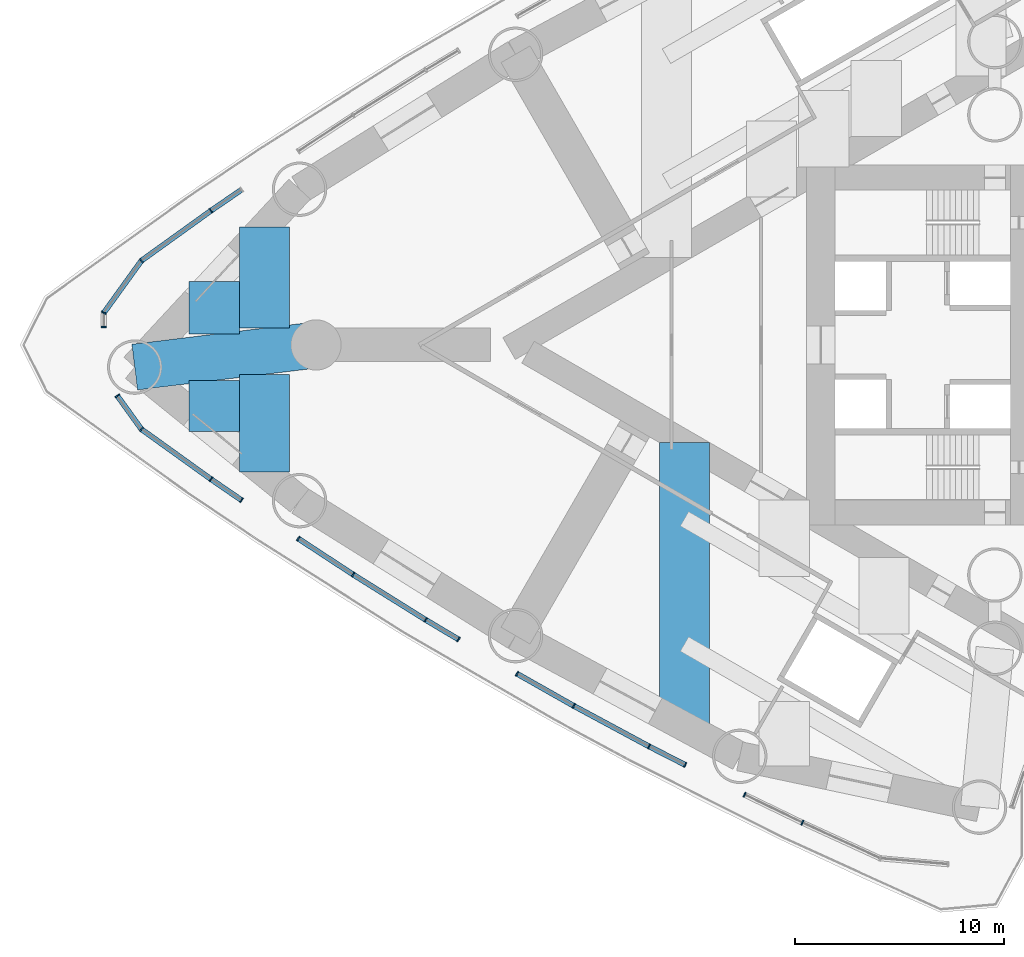
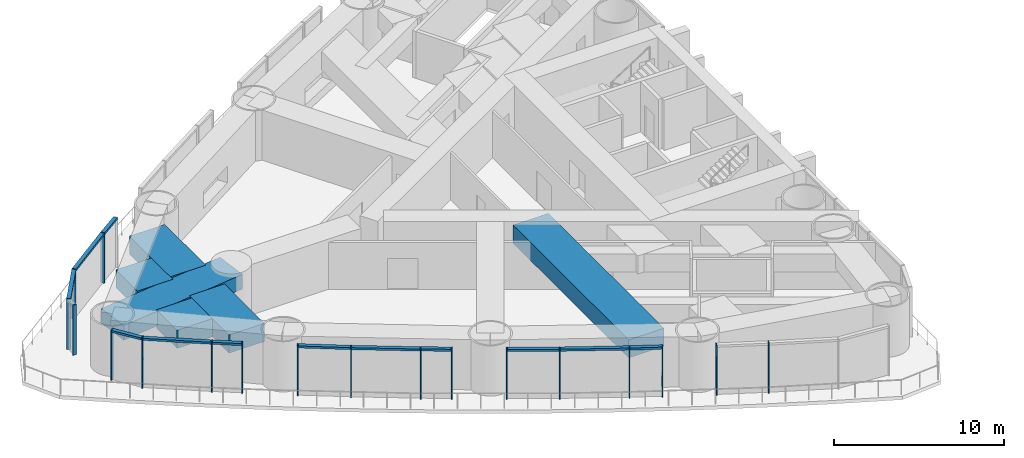
# One storey, part 2 of 19: 30 members, 6 beams, 5 elements without a shape of their own.
"""IFC4 building model written with IfcOpenShell, lengths in metres."""

from ifc_helpers import new_model, si_unit, direction, frame, origin, origin_2d, place, context, subcontext, project, spatial, rectangle, extrude, material, material_profile, profile_set, type_object, element, aggregate, save


model = new_model("IFC4")

# Units and contexts
model_context = context("Model", 3, precision=1e-05, world=origin(), true_north=direction((0.0, 1.0)))
body_context = subcontext(model_context, "Body", "Model", "MODEL_VIEW")
ifc_project = project(units=[si_unit("LENGTHUNIT", "METRE"), si_unit("AREAUNIT", "SQUARE_METRE"), si_unit("VOLUMEUNIT", "CUBIC_METRE"), si_unit("PLANEANGLEUNIT", "RADIAN"), si_unit("MASSUNIT", "GRAM", prefix="KILO")], contexts=[model_context])

# Site, building, storey
site_placement = place(None, origin())
site = spatial("IfcSite", under=ifc_project, at=site_placement, CompositionType="ELEMENT")
building_placement = place(site_placement, origin())
building = spatial("IfcBuilding", under=site, at=building_placement, Name="Lancet Gate Hotel", CompositionType="ELEMENT")
storey_placement = place(building_placement, frame((0.0, 0.0, 87.0)))
storey = spatial("IfcBuildingStorey", under=building, at=storey_placement, Name="L22", CompositionType="ELEMENT", Elevation=87.0)

# Curtain wall, members
ifc_material_1 = material(Name="Aluminium curtain wall", Category="aluminium")
curtain_wall_type = type_object("IfcCurtainWallType", Name="Tower unitised curtain wall", PredefinedType="USERDEFINED", material=ifc_material_1)
curtain_wall_1_placement = place(storey_placement, origin())
curtain_wall_1 = element("IfcCurtainWall", 1, at=curtain_wall_1_placement, inside=storey, type_object=curtain_wall_type, Name="T1 L22 curtain wall 5", ObjectType="UNITISED CURTAIN WALL", PredefinedType="USERDEFINED")
ifc_material_2 = material(Name="Aluminium mullion", Category="aluminium")
ifc_material_profile_1 = material_profile(ifc_material_2, rectangle(XDim=0.06494140625, YDim=0.25, at=origin_2d()), Name="MULLION 65x250")
ifc_profile_set_1 = profile_set([ifc_material_profile_1], Name="Aluminium mullion")
member_type_1 = type_object("IfcMemberType", Name="Aluminium mullion 65x250", PredefinedType="MULLION", material=ifc_profile_set_1)
member_1_placement = place(storey_placement, frame((-66.5234375, 6.41650390625, 0.0), z_axis=(0.0, 0.0, 1.0), x_axis=(-0.815877053423, -0.57822541772, 0.0)))
member_1 = element("IfcMember", 2, at=member_1_placement, type_object=member_type_1, Name="T1 L22 curtain wall 5 mullion 2", PredefinedType="MULLION", context=body_context, shape_type="SweptSolid", body=[
    extrude(rectangle(XDim=0.06494140625, YDim=0.25, at=origin_2d()), origin(), (0.0, 0.0, 1.0), 3.60009765625),
])
member_2_placement = place(storey_placement, frame((-69.84619140625, 4.02880859375, 0.0), z_axis=(0.0, 0.0, 1.0), x_axis=(-0.723846229576, -0.6899613293, 0.0)))
member_2 = element("IfcMember", 3, at=member_2_placement, type_object=member_type_1, Name="T1 L22 curtain wall 5 mullion 3", PredefinedType="MULLION", context=body_context, shape_type="SweptSolid", body=[
    extrude(rectangle(XDim=0.06494140625, YDim=0.25, at=origin_2d()), origin(), (0.0, 0.0, 1.0), 3.60009765625),
])
member_3_placement = place(storey_placement, frame((-71.64306640625, 1.536376953125, 0.0), z_axis=(0.0, 0.0, 1.0), x_axis=(-0.492912052262, -0.870079139352, 0.0)))
member_3 = element("IfcMember", 4, at=member_3_placement, type_object=member_type_1, Name="T1 L22 curtain wall 5 mullion 4", PredefinedType="MULLION", context=body_context, shape_type="SweptSolid", body=[
    extrude(rectangle(XDim=0.06494140625, YDim=0.25, at=origin_2d()), origin(), (0.0, 0.0, 1.0), 3.60009765625),
])
member_4_placement = place(storey_placement, frame((-71.64306640625, 0.85693359375, 0.0), z_axis=(0.0, 0.0, 1.0), x_axis=(0.0, -1.0, 0.0)))
member_4 = element("IfcMember", 5, at=member_4_placement, type_object=member_type_1, Name="T1 L22 curtain wall 5 mullion 5", PredefinedType="MULLION", context=body_context, shape_type="SweptSolid", body=[
    extrude(rectangle(XDim=0.06494140625, YDim=0.25, at=origin_2d()), origin(), (0.0, 0.0, 1.0), 3.60009765625),
])

curtain_wall_2_placement = place(storey_placement, origin())
curtain_wall_2 = element("IfcCurtainWall", 6, at=curtain_wall_2_placement, inside=storey, type_object=curtain_wall_type, Name="T1 L22 curtain wall 6", ObjectType="UNITISED CURTAIN WALL", PredefinedType="USERDEFINED")
member_5_placement = place(storey_placement, frame((-70.9970703125, -2.432373046875, 0.0), z_axis=(0.0, 0.0, 1.0), x_axis=(0.584808645706, -0.811171281486, 0.0)))
member_5 = element("IfcMember", 7, at=member_5_placement, type_object=member_type_1, Name="T1 L22 curtain wall 6 mullion 1", PredefinedType="MULLION", context=body_context, shape_type="SweptSolid", body=[
    extrude(rectangle(XDim=0.06494140625, YDim=0.25, at=origin_2d()), origin(), (0.0, 0.0, 1.0), 3.60009765625),
])
member_6_placement = place(storey_placement, frame((-69.84619140625, -4.02880859375, 0.0), z_axis=(0.0, 0.0, 1.0), x_axis=(0.746797810563, -0.665051148513, 0.0)))
member_6 = element("IfcMember", 8, at=member_6_placement, type_object=member_type_1, Name="T1 L22 curtain wall 6 mullion 2", PredefinedType="MULLION", context=body_context, shape_type="SweptSolid", body=[
    extrude(rectangle(XDim=0.06494140625, YDim=0.25, at=origin_2d()), origin(), (0.0, 0.0, 1.0), 3.60009765625),
])
member_7_placement = place(storey_placement, frame((-66.5234375, -6.41650390625, 0.0), z_axis=(0.0, 0.0, 1.0), x_axis=(0.815877053423, -0.57822541772, 0.0)))
member_7 = element("IfcMember", 9, at=member_7_placement, type_object=member_type_1, Name="T1 L22 curtain wall 6 mullion 3", PredefinedType="MULLION", context=body_context, shape_type="SweptSolid", body=[
    extrude(rectangle(XDim=0.06494140625, YDim=0.25, at=origin_2d()), origin(), (0.0, 0.0, 1.0), 3.60009765625),
])
member_8_placement = place(storey_placement, frame((-65.059814453125, -7.421142578125, 0.0), z_axis=(0.0, 0.0, 1.0), x_axis=(0.824466422775, -0.565910874357, 0.0)))
member_8 = element("IfcMember", 10, at=member_8_placement, type_object=member_type_1, Name="T1 L22 curtain wall 6 mullion 4", PredefinedType="MULLION", context=body_context, shape_type="SweptSolid", body=[
    extrude(rectangle(XDim=0.06494140625, YDim=0.25, at=origin_2d()), origin(), (0.0, 0.0, 1.0), 3.60009765625),
])

curtain_wall_3_placement = place(storey_placement, origin())
curtain_wall_3 = element("IfcCurtainWall", 11, at=curtain_wall_3_placement, inside=storey, type_object=curtain_wall_type, Name="T1 L22 curtain wall 7", ObjectType="UNITISED CURTAIN WALL", PredefinedType="USERDEFINED")
member_9_placement = place(storey_placement, frame((-62.34716796875, -9.2578125, 0.0), z_axis=(0.0, 0.0, 1.0), x_axis=(0.836457541791, -0.54803173337, 0.0)))
member_9 = element("IfcMember", 12, at=member_9_placement, type_object=member_type_1, Name="T1 L22 curtain wall 7 mullion 1", PredefinedType="MULLION", context=body_context, shape_type="SweptSolid", body=[
    extrude(rectangle(XDim=0.06494140625, YDim=0.25, at=origin_2d()), origin(), (0.0, 0.0, 1.0), 3.60009765625),
])
member_10_placement = place(storey_placement, frame((-59.7275390625, -10.974365234375, 0.0), z_axis=(0.0, 0.0, 1.0), x_axis=(0.843078141929, -0.537791080813, 0.0)))
member_10 = element("IfcMember", 13, at=member_10_placement, type_object=member_type_1, Name="T1 L22 curtain wall 7 mullion 2", PredefinedType="MULLION", context=body_context, shape_type="SweptSolid", body=[
    extrude(rectangle(XDim=0.06494140625, YDim=0.25, at=origin_2d()), origin(), (0.0, 0.0, 1.0), 3.60009765625),
])
member_11_placement = place(storey_placement, frame((-56.257568359375, -13.142333984375, 0.0), z_axis=(0.0, 0.0, 1.0), x_axis=(0.851560377168, -0.524256544105, 0.0)))
member_11 = element("IfcMember", 14, at=member_11_placement, type_object=member_type_1, Name="T1 L22 curtain wall 7 mullion 3", PredefinedType="MULLION", context=body_context, shape_type="SweptSolid", body=[
    extrude(rectangle(XDim=0.06494140625, YDim=0.25, at=origin_2d()), origin(), (0.0, 0.0, 1.0), 3.60009765625),
])
member_12_placement = place(storey_placement, frame((-54.689697265625, -14.07568359375, 0.0), z_axis=(0.0, 0.0, 1.0), x_axis=(0.859271431916, -0.511519898238, 0.0)))
member_12 = element("IfcMember", 15, at=member_12_placement, type_object=member_type_1, Name="T1 L22 curtain wall 7 mullion 4", PredefinedType="MULLION", context=body_context, shape_type="SweptSolid", body=[
    extrude(rectangle(XDim=0.06494140625, YDim=0.25, at=origin_2d()), origin(), (0.0, 0.0, 1.0), 3.60009765625),
])

curtain_wall_4_placement = place(storey_placement, origin())
curtain_wall_4 = element("IfcCurtainWall", 16, at=curtain_wall_4_placement, inside=storey, type_object=curtain_wall_type, Name="T1 L22 curtain wall 8", ObjectType="UNITISED CURTAIN WALL", PredefinedType="USERDEFINED")
member_13_placement = place(storey_placement, frame((-51.889892578125, -15.718017578125, 0.0), z_axis=(0.0, 0.0, 1.0), x_axis=(0.870083629903, -0.49290412554, 0.0)))
member_13 = element("IfcMember", 17, at=member_13_placement, type_object=member_type_1, Name="T1 L22 curtain wall 8 mullion 1", PredefinedType="MULLION", context=body_context, shape_type="SweptSolid", body=[
    extrude(rectangle(XDim=0.06494140625, YDim=0.25, at=origin_2d()), origin(), (0.0, 0.0, 1.0), 3.60009765625),
])
member_14_placement = place(storey_placement, frame((-49.181640625, -17.252197265625, 0.0), z_axis=(0.0, 0.0, 1.0), x_axis=(0.876045123925, -0.482229137286, 0.0)))
member_14 = element("IfcMember", 18, at=member_14_placement, type_object=member_type_1, Name="T1 L22 curtain wall 8 mullion 2", PredefinedType="MULLION", context=body_context, shape_type="SweptSolid", body=[
    extrude(rectangle(XDim=0.06494140625, YDim=0.25, at=origin_2d()), origin(), (0.0, 0.0, 1.0), 3.60009765625),
])
member_15_placement = place(storey_placement, frame((-45.578857421875, -19.19189453125, 0.0), z_axis=(0.0, 0.0, 1.0), x_axis=(0.883749426357, -0.467960416503, 0.0)))
member_15 = element("IfcMember", 19, at=member_15_placement, type_object=member_type_1, Name="T1 L22 curtain wall 8 mullion 3", PredefinedType="MULLION", context=body_context, shape_type="SweptSolid", body=[
    extrude(rectangle(XDim=0.06494140625, YDim=0.25, at=origin_2d()), origin(), (0.0, 0.0, 1.0), 3.60009765625),
])
member_16_placement = place(storey_placement, frame((-43.85498046875, -20.07275390625, 0.0), z_axis=(0.0, 0.0, 1.0), x_axis=(0.890493479451, -0.45499600334, 0.0)))
member_16 = element("IfcMember", 20, at=member_16_placement, type_object=member_type_1, Name="T1 L22 curtain wall 8 mullion 4", PredefinedType="MULLION", context=body_context, shape_type="SweptSolid", body=[
    extrude(rectangle(XDim=0.06494140625, YDim=0.25, at=origin_2d()), origin(), (0.0, 0.0, 1.0), 3.60009765625),
])

curtain_wall_5_placement = place(storey_placement, origin())
curtain_wall_5 = element("IfcCurtainWall", 21, at=curtain_wall_5_placement, inside=storey, type_object=curtain_wall_type, Name="T1 L22 curtain wall 9", ObjectType="UNITISED CURTAIN WALL", PredefinedType="USERDEFINED")
member_17_placement = place(storey_placement, frame((-41.0126953125, -21.500244140625, 0.0), z_axis=(0.0, 0.0, 1.0), x_axis=(0.900081672047, -0.435721222395, 0.0)))
member_17 = element("IfcMember", 22, at=member_17_placement, type_object=member_type_1, Name="T1 L22 curtain wall 9 mullion 1", PredefinedType="MULLION", context=body_context, shape_type="SweptSolid", body=[
    extrude(rectangle(XDim=0.06494140625, YDim=0.25, at=origin_2d()), origin(), (0.0, 0.0, 1.0), 3.60009765625),
])
member_18_placement = place(storey_placement, frame((-38.25244140625, -22.83642578125, 0.0), z_axis=(0.0, 0.0, 1.0), x_axis=(0.905375271787, -0.424612314043, 0.0)))
member_18 = element("IfcMember", 23, at=member_18_placement, type_object=member_type_1, Name="T1 L22 curtain wall 9 mullion 2", PredefinedType="MULLION", context=body_context, shape_type="SweptSolid", body=[
    extrude(rectangle(XDim=0.06494140625, YDim=0.25, at=origin_2d()), origin(), (0.0, 0.0, 1.0), 3.60009765625),
])
aggregate(curtain_wall_5, [member_17, member_18])

# Member
ifc_material_3 = material(Name="Aluminium transom", Category="aluminium")
ifc_material_profile_2 = material_profile(ifc_material_3, rectangle(XDim=0.25, YDim=0.14990234375, at=origin_2d()), Name="TRANSOM 250x150")
ifc_profile_set_2 = profile_set([ifc_material_profile_2], Name="Aluminium transom")
member_type_2 = type_object("IfcMemberType", Name="Aluminium transom 250x150", PredefinedType="USERDEFINED", material=ifc_profile_set_2)
member_19_placement = place(storey_placement, frame((-65.08642578125, 7.402587890625, 3.52490234375), z_axis=(-0.824508129238, -0.565850108085, 0.0), x_axis=(0.565850108085, -0.824508129238, 0.0)))
member_19 = element("IfcMember", 24, at=member_19_placement, type_object=member_type_2, Name="T1 L22 curtain wall 5 transom 1", ObjectType="TRANSOM", PredefinedType="USERDEFINED", context=body_context, shape_type="SweptSolid", body=[
    extrude(rectangle(XDim=0.25, YDim=0.14990234375, at=origin_2d()), origin(), (0.0, 0.0, 1.0), 1.710205078125),
])

member_20_placement = place(storey_placement, frame((-66.5498046875, 6.3974609375, 3.52490234375), z_axis=(-0.812099770796, -0.583518604908, 0.0), x_axis=(0.583518604908, -0.812099770796, 0.0)))
member_20 = element("IfcMember", 25, at=member_20_placement, type_object=member_type_2, Name="T1 L22 curtain wall 5 transom 2", ObjectType="TRANSOM", PredefinedType="USERDEFINED", context=body_context, shape_type="SweptSolid", body=[
    extrude(rectangle(XDim=0.25, YDim=0.14990234375, at=origin_2d()), origin(), (0.0, 0.0, 1.0), 4.026611328125),
])

member_21_placement = place(storey_placement, frame((-69.865234375, 4.00244140625, 3.52490234375), z_axis=(-0.584787911241, -0.81118622946, 0.0), x_axis=(0.81118622946, -0.584787911241, 0.0)))
member_21 = element("IfcMember", 26, at=member_21_placement, type_object=member_type_2, Name="T1 L22 curtain wall 5 transom 3", ObjectType="TRANSOM", PredefinedType="USERDEFINED", context=body_context, shape_type="SweptSolid", body=[
    extrude(rectangle(XDim=0.25, YDim=0.14990234375, at=origin_2d()), origin(), (0.0, 0.0, 1.0), 3.007568359375),
])

aggregate(curtain_wall_1, [member_1, member_2, member_3, member_4, member_19, member_20, member_21])

member_22_placement = place(storey_placement, frame((-70.97802734375, -2.458740234375, 3.52490234375), z_axis=(0.584764273606, -0.811203269418, 0.0), x_axis=(0.811203269418, 0.584764273606, 0.0)))
member_22 = element("IfcMember", 27, at=member_22_placement, type_object=member_type_2, Name="T1 L22 curtain wall 6 transom 1", ObjectType="TRANSOM", PredefinedType="USERDEFINED", context=body_context, shape_type="SweptSolid", body=[
    extrude(rectangle(XDim=0.25, YDim=0.14990234375, at=origin_2d()), origin(), (0.0, 0.0, 1.0), 1.903076171875),
])

member_23_placement = place(storey_placement, frame((-69.81982421875, -4.0478515625, 3.52490234375), z_axis=(0.812099770796, -0.583518604908, 0.0), x_axis=(0.583518604908, 0.812099770796, 0.0)))
member_23 = element("IfcMember", 28, at=member_23_placement, type_object=member_type_2, Name="T1 L22 curtain wall 6 transom 2", ObjectType="TRANSOM", PredefinedType="USERDEFINED", context=body_context, shape_type="SweptSolid", body=[
    extrude(rectangle(XDim=0.25, YDim=0.14990234375, at=origin_2d()), origin(), (0.0, 0.0, 1.0), 4.026611328125),
])

member_24_placement = place(storey_placement, frame((-66.49658203125, -6.434814453125, 3.52490234375), z_axis=(0.824508129238, -0.565850108085, 0.0), x_axis=(0.565850108085, 0.824508129238, 0.0)))
member_24 = element("IfcMember", 29, at=member_24_placement, type_object=member_type_2, Name="T1 L22 curtain wall 6 transom 3", ObjectType="TRANSOM", PredefinedType="USERDEFINED", context=body_context, shape_type="SweptSolid", body=[
    extrude(rectangle(XDim=0.25, YDim=0.14990234375, at=origin_2d()), origin(), (0.0, 0.0, 1.0), 1.710205078125),
])

aggregate(curtain_wall_2, [member_5, member_6, member_7, member_8, member_22, member_23, member_24])

member_25_placement = place(storey_placement, frame((-62.31982421875, -9.275634765625, 3.52490234375), z_axis=(0.836420860696, -0.548087715418, 0.0), x_axis=(0.548087715418, 0.836420860696, 0.0)))
member_25 = element("IfcMember", 30, at=member_25_placement, type_object=member_type_2, Name="T1 L22 curtain wall 7 transom 1", ObjectType="TRANSOM", PredefinedType="USERDEFINED", context=body_context, shape_type="SweptSolid", body=[
    extrude(rectangle(XDim=0.25, YDim=0.14990234375, at=origin_2d()), origin(), (0.0, 0.0, 1.0), 3.06689453125),
])

member_26_placement = place(storey_placement, frame((-59.699951171875, -10.991455078125, 3.52490234375), z_axis=(0.848049393821, -0.529917187531, 0.0), x_axis=(0.529917187531, 0.848049393821, 0.0)))
member_26 = element("IfcMember", 31, at=member_26_placement, type_object=member_type_2, Name="T1 L22 curtain wall 7 transom 2", ObjectType="TRANSOM", PredefinedType="USERDEFINED", context=body_context, shape_type="SweptSolid", body=[
    extrude(rectangle(XDim=0.25, YDim=0.14990234375, at=origin_2d()), origin(), (0.0, 0.0, 1.0), 4.026611328125),
])

member_27_placement = place(storey_placement, frame((-56.2294921875, -13.1591796875, 3.52490234375), z_axis=(0.859311760125, -0.511452147234, 0.0), x_axis=(0.511452147234, 0.859311760125, 0.0)))
member_27 = element("IfcMember", 32, at=member_27_placement, type_object=member_type_2, Name="T1 L22 curtain wall 7 transom 3", ObjectType="TRANSOM", PredefinedType="USERDEFINED", context=body_context, shape_type="SweptSolid", body=[
    extrude(rectangle(XDim=0.25, YDim=0.14990234375, at=origin_2d()), origin(), (0.0, 0.0, 1.0), 1.759521484375),
])

aggregate(curtain_wall_3, [member_9, member_10, member_11, member_12, member_25, member_26, member_27])

member_28_placement = place(storey_placement, frame((-51.861572265625, -15.73388671875, 3.52490234375), z_axis=(0.870076014124, -0.492917568815, 0.0), x_axis=(0.492917568815, 0.870076014124, 0.0)))
member_28 = element("IfcMember", 33, at=member_28_placement, type_object=member_type_2, Name="T1 L22 curtain wall 8 transom 1", ObjectType="TRANSOM", PredefinedType="USERDEFINED", context=body_context, shape_type="SweptSolid", body=[
    extrude(rectangle(XDim=0.25, YDim=0.14990234375, at=origin_2d()), origin(), (0.0, 0.0, 1.0), 3.047607421875),
])

member_29_placement = place(storey_placement, frame((-49.153076171875, -17.267578125, 3.52490234375), z_axis=(0.880498353192, -0.474049206335, 0.0), x_axis=(0.474049206335, 0.880498353192, 0.0)))
member_29 = element("IfcMember", 34, at=member_29_placement, type_object=member_type_2, Name="T1 L22 curtain wall 8 transom 2", ObjectType="TRANSOM", PredefinedType="USERDEFINED", context=body_context, shape_type="SweptSolid", body=[
    extrude(rectangle(XDim=0.25, YDim=0.14990234375, at=origin_2d()), origin(), (0.0, 0.0, 1.0), 4.02685546875),
])

member_30_placement = place(storey_placement, frame((-45.550048828125, -19.20654296875, 3.52490234375), z_axis=(0.890505171978, -0.454973118635, 0.0), x_axis=(0.454973118635, 0.890505171978, 0.0)))
member_30 = element("IfcMember", 35, at=member_30_placement, type_object=member_type_2, Name="T1 L22 curtain wall 8 transom 3", ObjectType="TRANSOM", PredefinedType="USERDEFINED", context=body_context, shape_type="SweptSolid", body=[
    extrude(rectangle(XDim=0.25, YDim=0.14990234375, at=origin_2d()), origin(), (0.0, 0.0, 1.0), 1.87109375),
])

aggregate(curtain_wall_4, [member_13, member_14, member_15, member_16, member_28, member_29, member_30])

# Beams
ifc_material_4 = material(Name="Concrete C50/60", Category="concrete")
ifc_material_profile_3 = material_profile(ifc_material_4, rectangle(XDim=2.39990234375, YDim=1.300048828125, at=origin_2d()), Name="RC 2400x1300")
ifc_profile_set_3 = profile_set([ifc_material_profile_3], Name="Concrete C50/60")
beam_type_1 = type_object("IfcBeamType", Name="Floor beam RC 2400x1300", PredefinedType="BEAM", material=ifc_profile_set_3)
beam_1_placement = place(storey_placement, frame((-43.891357421875, -4.663330078125, 2.699951171875), z_axis=(0.0, -1.0, 0.0), x_axis=(1.0, 0.0, 0.0)))
element("IfcBeam", 36, at=beam_1_placement, inside=storey, type_object=beam_type_1, Name="T1 floor beam F08N L22", PredefinedType="BEAM", context=body_context, shape_type="SweptSolid", body=[
    extrude(rectangle(XDim=2.39990234375, YDim=1.300048828125, at=origin_2d()), origin(), (0.0, 0.0, 1.0), 13.57763671875),
])
beam_2_placement = place(storey_placement, frame((-63.96826171875, 5.6298828125, 2.699951171875), z_axis=(0.0, -1.0, 0.0), x_axis=(1.0, 0.0, 0.0)))
element("IfcBeam", 37, at=beam_2_placement, inside=storey, type_object=beam_type_1, Name="T1 floor beam F10S L22", PredefinedType="BEAM", context=body_context, shape_type="SweptSolid", body=[
    extrude(rectangle(XDim=2.39990234375, YDim=1.300048828125, at=origin_2d()), origin(), (0.0, 0.0, 1.0), 4.823486328125),
])
beam_3_placement = place(storey_placement, frame((-63.96826171875, -1.41015625, 2.699951171875), z_axis=(0.0, -1.0, 0.0), x_axis=(1.0, 0.0, 0.0)))
element("IfcBeam", 38, at=beam_3_placement, inside=storey, type_object=beam_type_1, Name="T1 floor beam F11N L22", PredefinedType="BEAM", context=body_context, shape_type="SweptSolid", body=[
    extrude(rectangle(XDim=2.39990234375, YDim=1.300048828125, at=origin_2d()), origin(), (0.0, 0.0, 1.0), 4.672119140625),
])
beam_4_placement = place(storey_placement, frame((-66.3681640625, 3.040283203125, 2.699951171875), z_axis=(0.0, -1.0, 0.0), x_axis=(1.0, 0.0, 0.0)))
element("IfcBeam", 39, at=beam_4_placement, inside=storey, type_object=beam_type_1, Name="T1 floor beam F12S L22", PredefinedType="BEAM", context=body_context, shape_type="SweptSolid", body=[
    extrude(rectangle(XDim=2.39990234375, YDim=1.300048828125, at=origin_2d()), origin(), (0.0, 0.0, 1.0), 2.52734375),
])
beam_5_placement = place(storey_placement, frame((-66.3681640625, -1.70361328125, 2.699951171875), z_axis=(0.0, -1.0, 0.0), x_axis=(1.0, 0.0, 0.0)))
element("IfcBeam", 40, at=beam_5_placement, inside=storey, type_object=beam_type_1, Name="T1 floor beam F13N L22", PredefinedType="BEAM", context=body_context, shape_type="SweptSolid", body=[
    extrude(rectangle(XDim=2.39990234375, YDim=1.300048828125, at=origin_2d()), origin(), (0.0, 0.0, 1.0), 2.4345703125),
])
ifc_material_5 = material(Name="Concrete C50/60", Category="concrete")
ifc_material_profile_4 = material_profile(ifc_material_5, rectangle(XDim=2.199951171875, YDim=1.050048828125, at=origin_2d()), Name="RC 2200x1050")
ifc_profile_set_4 = profile_set([ifc_material_profile_4], Name="Concrete C50/60")
beam_type_2 = type_object("IfcBeamType", Name="Radial floor beam RC 2200x1050", PredefinedType="BEAM", material=ifc_profile_set_4)
beam_6_placement = place(storey_placement, frame((-70.16796875, -1.06005859375, 2.824951171875), z_axis=(0.992604686929, 0.121391661521, 0.0), x_axis=(-0.121391661521, 0.992604686929, 0.0)))
element("IfcBeam", 41, at=beam_6_placement, inside=storey, type_object=beam_type_2, Name="T1 radial beam CA L22", PredefinedType="BEAM", context=body_context, shape_type="SweptSolid", body=[
    extrude(rectangle(XDim=2.199951171875, YDim=1.050048828125, at=origin_2d()), origin(), (0.0, 0.0, 1.0), 8.732666015625),
])

save(model, "model.ifc")
